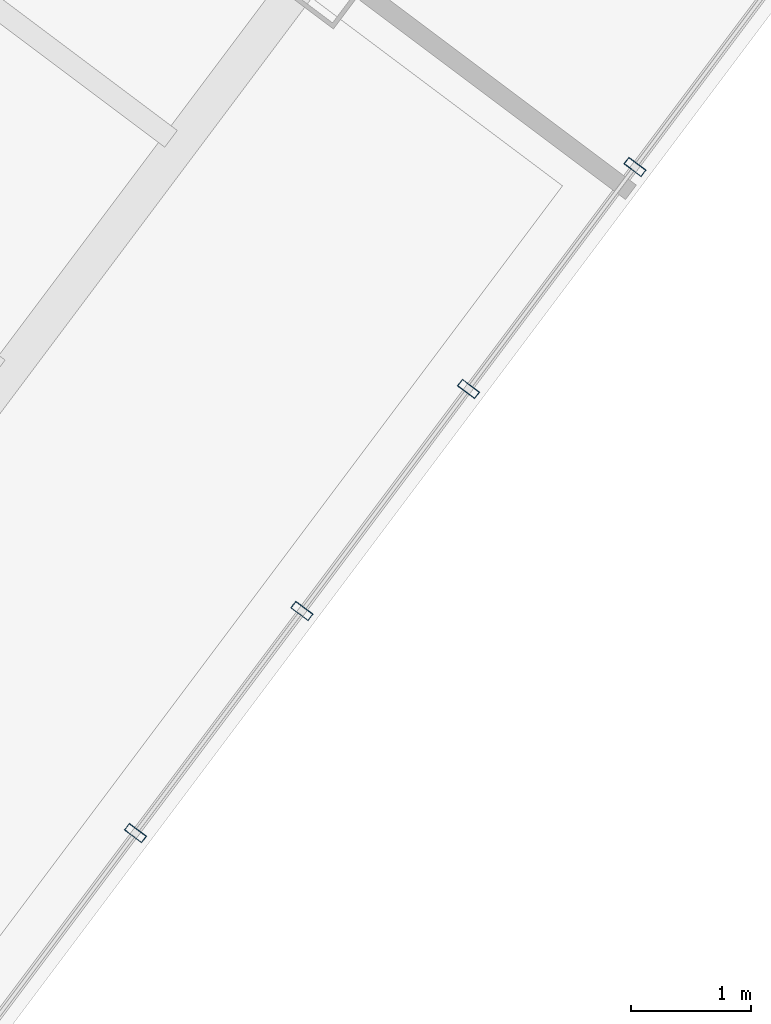
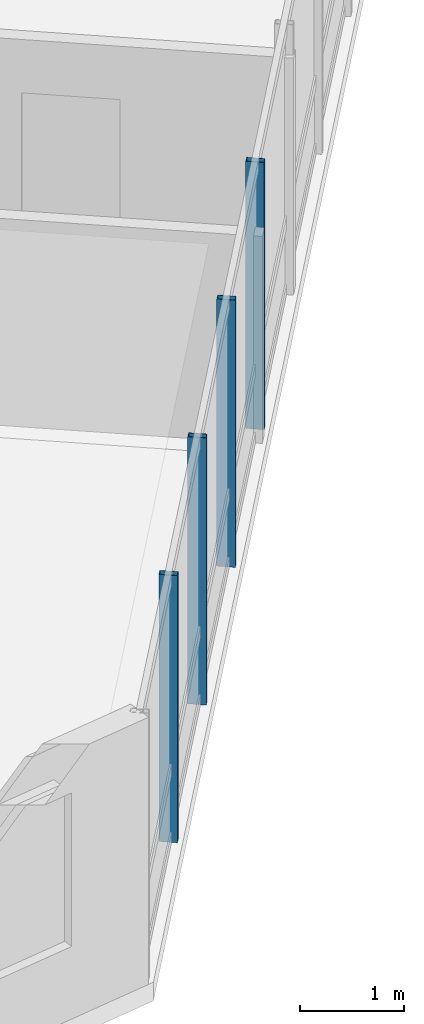
# One storey, part 8 of 31: 4 members, 1 element without a shape of its own.
"""IFC4 building model written with IfcOpenShell, lengths in metres."""

from ifc_helpers import new_model, si_unit, direction, frame, origin, origin_2d, place, context, subcontext, project, spatial, hollow_rectangle, extrude, material, layer, layer_set, material_profile, profile_set, type_object, element, aggregate, save


model = new_model("IFC4")

# Units and contexts
model_context = context("Model", 3, precision=1e-05, world=origin(), true_north=direction((0.0, 1.0)))
body_context = subcontext(model_context, "Body", "Model", "MODEL_VIEW")
ifc_project = project(units=[si_unit("LENGTHUNIT", "METRE"), si_unit("AREAUNIT", "SQUARE_METRE"), si_unit("VOLUMEUNIT", "CUBIC_METRE"), si_unit("PLANEANGLEUNIT", "RADIAN"), si_unit("MASSUNIT", "GRAM", prefix="KILO")], contexts=[model_context])

# Site, building, storey
site_placement = place(None, origin())
site = spatial("IfcSite", under=ifc_project, at=site_placement, CompositionType="ELEMENT")
building_placement = place(site_placement, origin())
building = spatial("IfcBuilding", under=site, at=building_placement, Name="Hatsunagi Terrace Concourse", CompositionType="ELEMENT")
storey_placement = place(building_placement, frame((0.0, 0.0, 77.949951171875)))
storey = spatial("IfcBuildingStorey", under=building, at=storey_placement, Name="L20", CompositionType="ELEMENT", Elevation=77.949951171875)

# Curtain wall, members
ifc_material_1 = material(Name="Anodised Aluminium Alloy 6063-T5", Category="aluminium")
ifc_layer = layer(ifc_material_1, 0.199951171875)
ifc_layer_set = layer_set([ifc_layer], Name="HotelFacade_CW02")
curtain_wall_type = type_object("IfcCurtainWallType", Name="HotelFacade_CW02", PredefinedType="NOTDEFINED", material=ifc_layer_set)
curtain_wall_placement = place(storey_placement, origin())
curtain_wall = element("IfcCurtainWall", 1, at=curtain_wall_placement, inside=storey, type_object=curtain_wall_type, Name="Unitised Curtain Wall CW-02 CW-L20-03", PredefinedType="NOTDEFINED")
ifc_material_2 = material(Name="Anodised Aluminium Alloy 6063-T5", Category="aluminium")
ifc_material_profile = material_profile(ifc_material_2, hollow_rectangle(XDim=0.070068359375, YDim=0.179931640625, WallThickness=0.00390625, at=origin_2d()), Name="ALU-MUL-180x70x4")
ifc_profile_set = profile_set([ifc_material_profile], Name="Anodised Aluminium Alloy 6063-T5")
member_type = type_object("IfcMemberType", Name="CurtainWallMullion_180x70", PredefinedType="MULLION", material=ifc_profile_set)
member_1_placement = place(storey_placement, frame((62.132080078125, 10.3759765625, 0.0), z_axis=(0.0, 0.0, 1.0), x_axis=(-0.599969314634, -0.800023013105, 0.0)))
member_1 = element("IfcMember", 2, at=member_1_placement, type_object=member_type, Name="Curtain Wall Mullion MUL-02", PredefinedType="MULLION", context=body_context, shape_type="SweptSolid", body=[
    extrude(hollow_rectangle(XDim=0.070068359375, YDim=0.179931640625, WallThickness=0.00390625, at=origin_2d()), origin(), (0.0, 0.0, 1.0), 3.130126953125),
])
member_2_placement = place(storey_placement, frame((60.739990234375, 8.51904296875, 0.0), z_axis=(0.0, 0.0, 1.0), x_axis=(-0.599969314634, -0.800023013105, 0.0)))
member_2 = element("IfcMember", 3, at=member_2_placement, type_object=member_type, Name="Curtain Wall Mullion MUL-02", PredefinedType="MULLION", context=body_context, shape_type="SweptSolid", body=[
    extrude(hollow_rectangle(XDim=0.070068359375, YDim=0.179931640625, WallThickness=0.00390625, at=origin_2d()), origin(), (0.0, 0.0, 1.0), 3.130126953125),
])
member_3_placement = place(storey_placement, frame((59.346923828125, 6.6630859375, 0.0), z_axis=(0.0, 0.0, 1.0), x_axis=(-0.599969314634, -0.800023013105, 0.0)))
member_3 = element("IfcMember", 4, at=member_3_placement, type_object=member_type, Name="Curtain Wall Mullion MUL-02", PredefinedType="MULLION", context=body_context, shape_type="SweptSolid", body=[
    extrude(hollow_rectangle(XDim=0.070068359375, YDim=0.179931640625, WallThickness=0.00390625, at=origin_2d()), origin(), (0.0, 0.0, 1.0), 3.130126953125),
])
member_4_placement = place(storey_placement, frame((57.955078125, 4.805908203125, 0.0), z_axis=(0.0, 0.0, 1.0), x_axis=(-0.599969314634, -0.800023013105, 0.0)))
member_4 = element("IfcMember", 5, at=member_4_placement, type_object=member_type, Name="Curtain Wall Mullion MUL-02", PredefinedType="MULLION", context=body_context, shape_type="SweptSolid", body=[
    extrude(hollow_rectangle(XDim=0.070068359375, YDim=0.179931640625, WallThickness=0.00390625, at=origin_2d()), origin(), (0.0, 0.0, 1.0), 3.130126953125),
])
aggregate(curtain_wall, [member_1, member_2, member_3, member_4])

save(model, "model.ifc")
